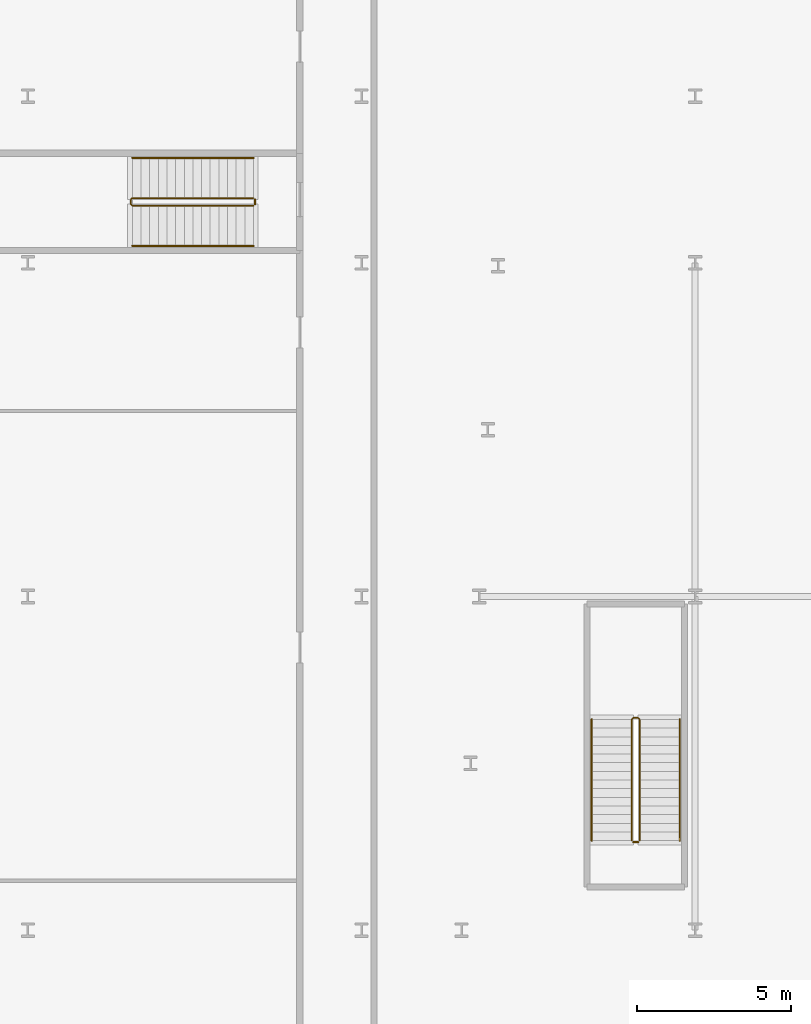
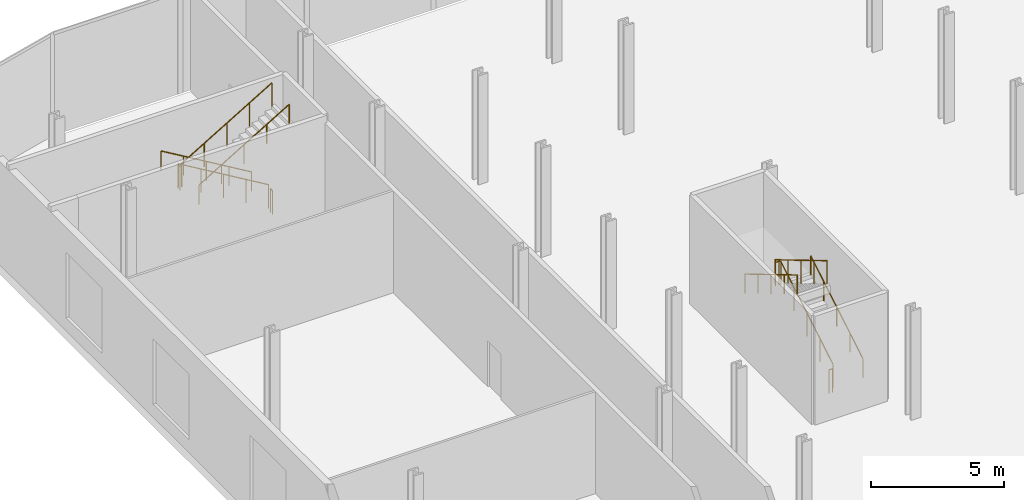
# One storey, part 44 of 47: 8 railings.
"""IFC4 building model written with IfcOpenShell, lengths in metres."""

from ifc_helpers import new_model, si_unit, direction, frame, origin, origin_2d, place, context, subcontext, project, spatial, circle, extrude, material, type_object, element, save


model = new_model("IFC4")

# Units and contexts
model_context = context("Model", 3, precision=1e-05, world=origin(), true_north=direction((0.0, 1.0)))
body_context = subcontext(model_context, "Body", "Model", "MODEL_VIEW")
ifc_project = project(units=[si_unit("LENGTHUNIT", "METRE"), si_unit("AREAUNIT", "SQUARE_METRE"), si_unit("VOLUMEUNIT", "CUBIC_METRE"), si_unit("PLANEANGLEUNIT", "RADIAN"), si_unit("MASSUNIT", "GRAM", prefix="KILO")], contexts=[model_context])

# Site, building, storey
site_placement = place(None, origin())
site = spatial("IfcSite", under=ifc_project, at=site_placement, CompositionType="ELEMENT")
building_placement = place(site_placement, origin())
building = spatial("IfcBuilding", under=site, at=building_placement, Name="Kheshtan School and Residences Tower", CompositionType="ELEMENT")
storey_placement = place(building_placement, frame((0.0, 0.0, 7.5)))
storey = spatial("IfcBuildingStorey", under=building, at=storey_placement, Name="L01", CompositionType="ELEMENT", Elevation=7.5)

# Railings
ifc_material_1 = material(Name="Stainless steel balustrade", Category="steel")
railing_type_1 = type_object("IfcRailingType", Name="Stair guard 1100", PredefinedType="GUARDRAIL", material=ifc_material_1)
railing_1_placement = place(storey_placement, frame((35.0, 80.89990234375, 0.166748046875)))
element("IfcRailing", 1, at=railing_1_placement, inside=storey, type_object=railing_type_1, Name="L01 ST3 stair guard 1", PredefinedType="GUARDRAIL", context=body_context, shape_type="SweptSolid", body=[
    extrude(circle(Radius=0.02392578125, at=origin_2d()), frame((0.0, 0.0, 1.076171875), z_axis=(0.0, 0.859310244771, 0.511454693235), x_axis=(-1.0, 0.0, 0.0)), (0.0, 0.0, 1.0), 4.56201171875),
    extrude(circle(Radius=0.02392578125, at=origin_2d()), frame((0.0, 3.920166015625, 3.4091796875), z_axis=(-0.707106781187, 0.707106781187, 0.0), x_axis=(-0.707106781187, -0.707106781187, 0.0)), (0.0, 0.0, 1.0), 0.07080078125),
    extrude(circle(Radius=0.02392578125, at=origin_2d()), frame((-0.050048828125, 3.97021484375, 3.4091796875), z_axis=(-1.0, 0.0, 0.0), x_axis=(0.0, -1.0, 0.0)), (0.0, 0.0, 1.0), 0.14990234375),
    extrude(circle(Radius=0.02392578125, at=origin_2d()), frame((-0.199951171875, 3.97021484375, 3.4091796875), z_axis=(-0.27628659633, -0.27628659633, 0.920506074601), x_axis=(0.707106781187, -0.707106781187, 0.0)), (0.0, 0.0, 1.0), 0.18115234375),
    extrude(circle(Radius=0.02392578125, at=origin_2d()), frame((-0.25, 3.920166015625, 3.576171875), z_axis=(0.0, -0.859310244771, 0.511454693235), x_axis=(1.0, 0.0, 0.0)), (0.0, 0.0, 1.0), 4.56201171875),
    extrude(circle(Radius=0.02099609375, at=origin_2d()), origin(), (0.0, 0.0, 1.0), 1.052001953125),
    extrude(circle(Radius=0.02099609375, at=origin_2d()), frame((0.0, 0.97998046875, 0.583251953125)), (0.0, 0.0, 1.0), 1.052001953125),
    extrude(circle(Radius=0.02099609375, at=origin_2d()), frame((0.0, 1.9599609375, 1.16650390625)), (0.0, 0.0, 1.0), 1.052001953125),
    extrude(circle(Radius=0.02099609375, at=origin_2d()), frame((0.0, 2.940185546875, 1.75)), (0.0, 0.0, 1.0), 1.052001953125),
    extrude(circle(Radius=0.02099609375, at=origin_2d()), frame((0.0, 3.920166015625, 2.333251953125)), (0.0, 0.0, 1.0), 1.052001953125),
    extrude(circle(Radius=0.02099609375, at=origin_2d()), frame((-0.050048828125, 3.97021484375, 2.333251953125)), (0.0, 0.0, 1.0), 1.052001953125),
    extrude(circle(Radius=0.02099609375, at=origin_2d()), frame((-0.199951171875, 3.97021484375, 2.333251953125)), (0.0, 0.0, 1.0), 1.052001953125),
    extrude(circle(Radius=0.02099609375, at=origin_2d()), frame((-0.25, 3.920166015625, 2.5)), (0.0, 0.0, 1.0), 1.052001953125),
    extrude(circle(Radius=0.02099609375, at=origin_2d()), frame((-0.25, 2.940185546875, 3.083251953125)), (0.0, 0.0, 1.0), 1.052001953125),
    extrude(circle(Radius=0.02099609375, at=origin_2d()), frame((-0.25, 1.9599609375, 3.66650390625)), (0.0, 0.0, 1.0), 1.052001953125),
    extrude(circle(Radius=0.02099609375, at=origin_2d()), frame((-0.25, 0.97998046875, 4.25)), (0.0, 0.0, 1.0), 1.052001953125),
    extrude(circle(Radius=0.02099609375, at=origin_2d()), frame((-0.25, 0.0, 4.833251953125)), (0.0, 0.0, 1.0), 1.052001953125),
])
railing_2_placement = place(storey_placement, frame((34.949951171875, 80.85009765625, 0.0)))
element("IfcRailing", 2, at=railing_2_placement, inside=storey, type_object=railing_type_1, Name="L01 ST3 stair guard 2", PredefinedType="GUARDRAIL", context=body_context, shape_type="SweptSolid", body=[
    extrude(circle(Radius=0.02392578125, at=origin_2d()), frame((0.0, 0.0, 1.076171875), z_axis=(-1.0, 0.0, 0.0), x_axis=(0.0, -1.0, 0.0)), (0.0, 0.0, 1.0), 0.14990234375),
    extrude(circle(Radius=0.02099609375, at=origin_2d()), origin(), (0.0, 0.0, 1.0), 1.052001953125),
    extrude(circle(Radius=0.02099609375, at=origin_2d()), frame((-0.14990234375, 0.0, 0.0)), (0.0, 0.0, 1.0), 1.052001953125),
])
railing_3_placement = place(storey_placement, frame((22.5, 101.699951171875, 0.166748046875)))
element("IfcRailing", 3, at=railing_3_placement, inside=storey, type_object=railing_type_1, Name="L01 PS-012-100 stair guard 1", PredefinedType="GUARDRAIL", context=body_context, shape_type="SweptSolid", body=[
    extrude(circle(Radius=0.02392578125, at=origin_2d()), frame((0.0, 0.0, 1.076171875), z_axis=(-0.859296244711, 0.0, 0.511478214419), x_axis=(0.0, -1.0, 0.0)), (0.0, 0.0, 1.0), 4.561767578125),
    extrude(circle(Radius=0.02392578125, at=origin_2d()), frame((-3.919921875, 0.0, 3.4091796875), z_axis=(-0.707106781187, -0.707106781187, 0.0), x_axis=(0.707106781187, -0.707106781187, 0.0)), (0.0, 0.0, 1.0), 0.07080078125),
    extrude(circle(Radius=0.02392578125, at=origin_2d()), frame((-3.969970703125, -0.050048828125, 3.4091796875), z_axis=(0.0, -1.0, 0.0), x_axis=(1.0, 0.0, 0.0)), (0.0, 0.0, 1.0), 0.14990234375),
    extrude(circle(Radius=0.02392578125, at=origin_2d()), frame((-3.969970703125, -0.199951171875, 3.4091796875), z_axis=(0.27628659633, -0.27628659633, 0.920506074601), x_axis=(0.707106781187, 0.707106781187, 0.0)), (0.0, 0.0, 1.0), 0.18115234375),
    extrude(circle(Radius=0.02392578125, at=origin_2d()), frame((-3.919921875, -0.25, 3.576171875), z_axis=(0.859296244711, 0.0, 0.511478214419), x_axis=(0.0, 1.0, 0.0)), (0.0, 0.0, 1.0), 4.561767578125),
    extrude(circle(Radius=0.02099609375, at=origin_2d()), origin(), (0.0, 0.0, 1.0), 1.052001953125),
    extrude(circle(Radius=0.02099609375, at=origin_2d()), frame((-0.97998046875, 0.0, 0.583251953125)), (0.0, 0.0, 1.0), 1.052001953125),
    extrude(circle(Radius=0.02099609375, at=origin_2d()), frame((-1.9599609375, 0.0, 1.16650390625)), (0.0, 0.0, 1.0), 1.052001953125),
    extrude(circle(Radius=0.02099609375, at=origin_2d()), frame((-2.93994140625, 0.0, 1.75)), (0.0, 0.0, 1.0), 1.052001953125),
    extrude(circle(Radius=0.02099609375, at=origin_2d()), frame((-3.919921875, 0.0, 2.333251953125)), (0.0, 0.0, 1.0), 1.052001953125),
    extrude(circle(Radius=0.02099609375, at=origin_2d()), frame((-3.969970703125, -0.050048828125, 2.333251953125)), (0.0, 0.0, 1.0), 1.052001953125),
    extrude(circle(Radius=0.02099609375, at=origin_2d()), frame((-3.969970703125, -0.199951171875, 2.333251953125)), (0.0, 0.0, 1.0), 1.052001953125),
    extrude(circle(Radius=0.02099609375, at=origin_2d()), frame((-3.919921875, -0.25, 2.5)), (0.0, 0.0, 1.0), 1.052001953125),
    extrude(circle(Radius=0.02099609375, at=origin_2d()), frame((-2.93994140625, -0.25, 3.083251953125)), (0.0, 0.0, 1.0), 1.052001953125),
    extrude(circle(Radius=0.02099609375, at=origin_2d()), frame((-1.9599609375, -0.25, 3.66650390625)), (0.0, 0.0, 1.0), 1.052001953125),
    extrude(circle(Radius=0.02099609375, at=origin_2d()), frame((-0.97998046875, -0.25, 4.25)), (0.0, 0.0, 1.0), 1.052001953125),
    extrude(circle(Radius=0.02099609375, at=origin_2d()), frame((0.0, -0.25, 4.833251953125)), (0.0, 0.0, 1.0), 1.052001953125),
])
railing_4_placement = place(storey_placement, frame((22.550048828125, 101.64990234375, 0.0)))
element("IfcRailing", 4, at=railing_4_placement, inside=storey, type_object=railing_type_1, Name="L01 PS-012-100 stair guard 2", PredefinedType="GUARDRAIL", context=body_context, shape_type="SweptSolid", body=[
    extrude(circle(Radius=0.02392578125, at=origin_2d()), frame((0.0, 0.0, 1.076171875), z_axis=(0.0, -1.0, 0.0), x_axis=(1.0, 0.0, 0.0)), (0.0, 0.0, 1.0), 0.14990234375),
    extrude(circle(Radius=0.02099609375, at=origin_2d()), origin(), (0.0, 0.0, 1.0), 1.052001953125),
    extrude(circle(Radius=0.02099609375, at=origin_2d()), frame((0.0, -0.14990234375, 0.0)), (0.0, 0.0, 1.0), 1.052001953125),
])
ifc_material_2 = material(Name="Stainless steel handrail", Category="steel")
railing_type_2 = type_object("IfcRailingType", Name="Stair handrail 900", PredefinedType="HANDRAIL", material=ifc_material_2)
railing_5_placement = place(storey_placement, frame((36.300048828125, 80.89990234375, 0.166748046875)))
element("IfcRailing", 5, at=railing_5_placement, inside=storey, type_object=railing_type_2, Name="L01 ST3 stair handrail 1", PredefinedType="HANDRAIL", context=body_context, shape_type="SweptSolid", body=[
    extrude(circle(Radius=0.02392578125, at=origin_2d()), frame((0.0, 0.0, 0.8759765625), z_axis=(0.0, 0.859310244771, 0.511454693235), x_axis=(-1.0, 0.0, 0.0)), (0.0, 0.0, 1.0), 4.56201171875),
    extrude(circle(Radius=0.02099609375, at=origin_2d()), origin(), (0.0, 0.0, 1.0), 0.851806640625),
    extrude(circle(Radius=0.02099609375, at=origin_2d()), frame((0.0, 0.97998046875, 0.583251953125)), (0.0, 0.0, 1.0), 0.851806640625),
    extrude(circle(Radius=0.02099609375, at=origin_2d()), frame((0.0, 1.9599609375, 1.16650390625)), (0.0, 0.0, 1.0), 0.851806640625),
    extrude(circle(Radius=0.02099609375, at=origin_2d()), frame((0.0, 2.940185546875, 1.75)), (0.0, 0.0, 1.0), 0.851806640625),
    extrude(circle(Radius=0.02099609375, at=origin_2d()), frame((0.0, 3.920166015625, 2.333251953125)), (0.0, 0.0, 1.0), 0.851806640625),
])
railing_6_placement = place(storey_placement, frame((33.449951171875, 84.820068359375, 2.666748046875)))
element("IfcRailing", 6, at=railing_6_placement, inside=storey, type_object=railing_type_2, Name="L01 ST3 stair handrail 2", PredefinedType="HANDRAIL", context=body_context, shape_type="SweptSolid", body=[
    extrude(circle(Radius=0.02392578125, at=origin_2d()), frame((0.0, 0.0, 0.8759765625), z_axis=(0.0, -0.859310244771, 0.511454693235), x_axis=(1.0, 0.0, 0.0)), (0.0, 0.0, 1.0), 4.56201171875),
    extrude(circle(Radius=0.02099609375, at=origin_2d()), origin(), (0.0, 0.0, 1.0), 0.851806640625),
    extrude(circle(Radius=0.02099609375, at=origin_2d()), frame((0.0, -0.97998046875, 0.583251953125)), (0.0, 0.0, 1.0), 0.851806640625),
    extrude(circle(Radius=0.02099609375, at=origin_2d()), frame((0.0, -1.9599609375, 1.16650390625)), (0.0, 0.0, 1.0), 0.851806640625),
    extrude(circle(Radius=0.02099609375, at=origin_2d()), frame((0.0, -2.940185546875, 1.75)), (0.0, 0.0, 1.0), 0.851806640625),
    extrude(circle(Radius=0.02099609375, at=origin_2d()), frame((0.0, -3.920166015625, 2.333251953125)), (0.0, 0.0, 1.0), 0.851806640625),
])
railing_7_placement = place(storey_placement, frame((22.5, 103.0, 0.166748046875)))
element("IfcRailing", 7, at=railing_7_placement, inside=storey, type_object=railing_type_2, Name="L01 PS-012-100 stair handrail 1", PredefinedType="HANDRAIL", context=body_context, shape_type="SweptSolid", body=[
    extrude(circle(Radius=0.02392578125, at=origin_2d()), frame((0.0, 0.0, 0.8759765625), z_axis=(-0.859296244711, 0.0, 0.511478214419), x_axis=(0.0, -1.0, 0.0)), (0.0, 0.0, 1.0), 4.561767578125),
    extrude(circle(Radius=0.02099609375, at=origin_2d()), origin(), (0.0, 0.0, 1.0), 0.851806640625),
    extrude(circle(Radius=0.02099609375, at=origin_2d()), frame((-0.97998046875, 0.0, 0.583251953125)), (0.0, 0.0, 1.0), 0.851806640625),
    extrude(circle(Radius=0.02099609375, at=origin_2d()), frame((-1.9599609375, 0.0, 1.16650390625)), (0.0, 0.0, 1.0), 0.851806640625),
    extrude(circle(Radius=0.02099609375, at=origin_2d()), frame((-2.93994140625, 0.0, 1.75)), (0.0, 0.0, 1.0), 0.851806640625),
    extrude(circle(Radius=0.02099609375, at=origin_2d()), frame((-3.919921875, 0.0, 2.333251953125)), (0.0, 0.0, 1.0), 0.851806640625),
])
railing_8_placement = place(storey_placement, frame((18.580078125, 100.14990234375, 2.666748046875)))
element("IfcRailing", 8, at=railing_8_placement, inside=storey, type_object=railing_type_2, Name="L01 PS-012-100 stair handrail 2", PredefinedType="HANDRAIL", context=body_context, shape_type="SweptSolid", body=[
    extrude(circle(Radius=0.02392578125, at=origin_2d()), frame((0.0, 0.0, 0.8759765625), z_axis=(0.859296244711, 0.0, 0.511478214419), x_axis=(0.0, 1.0, 0.0)), (0.0, 0.0, 1.0), 4.561767578125),
    extrude(circle(Radius=0.02099609375, at=origin_2d()), origin(), (0.0, 0.0, 1.0), 0.851806640625),
    extrude(circle(Radius=0.02099609375, at=origin_2d()), frame((0.97998046875, 0.0, 0.583251953125)), (0.0, 0.0, 1.0), 0.851806640625),
    extrude(circle(Radius=0.02099609375, at=origin_2d()), frame((1.9599609375, 0.0, 1.16650390625)), (0.0, 0.0, 1.0), 0.851806640625),
    extrude(circle(Radius=0.02099609375, at=origin_2d()), frame((2.93994140625, 0.0, 1.75)), (0.0, 0.0, 1.0), 0.851806640625),
    extrude(circle(Radius=0.02099609375, at=origin_2d()), frame((3.919921875, 0.0, 2.333251953125)), (0.0, 0.0, 1.0), 0.851806640625),
])

save(model, "model.ifc")
